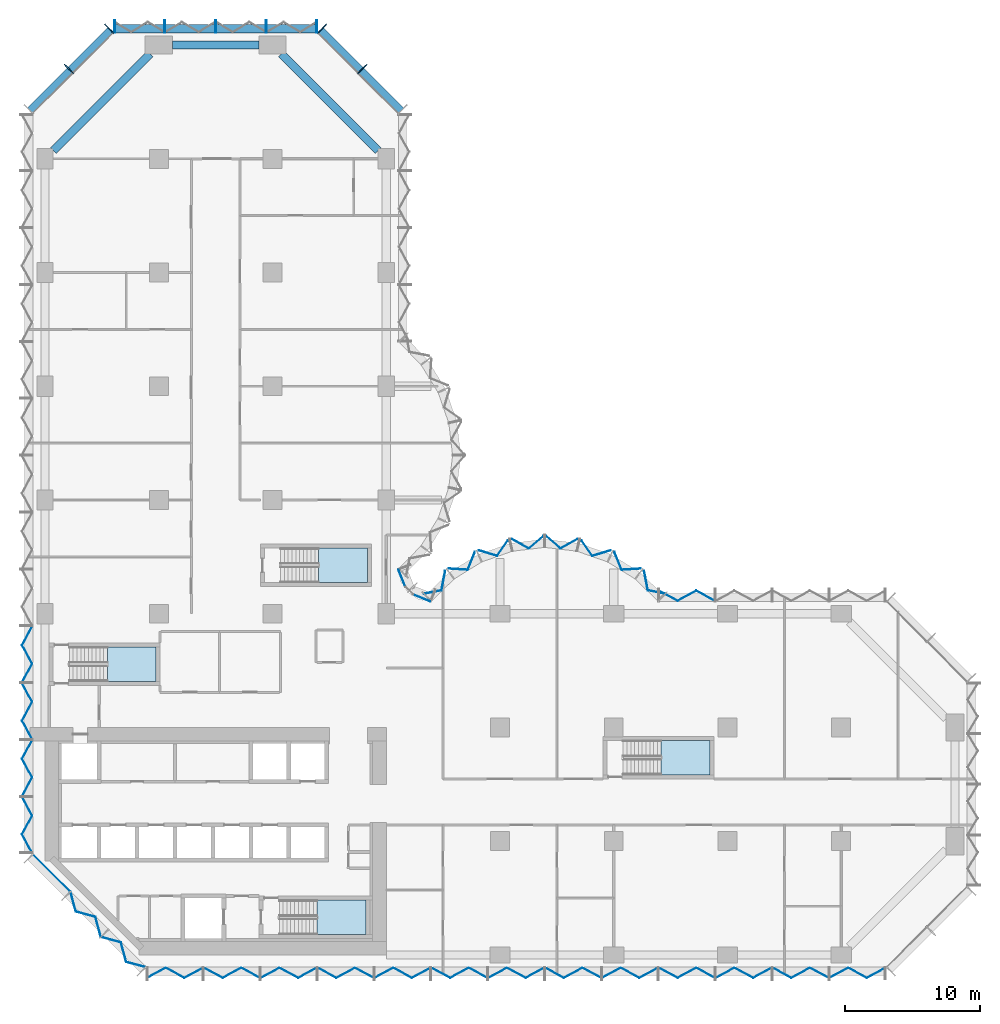
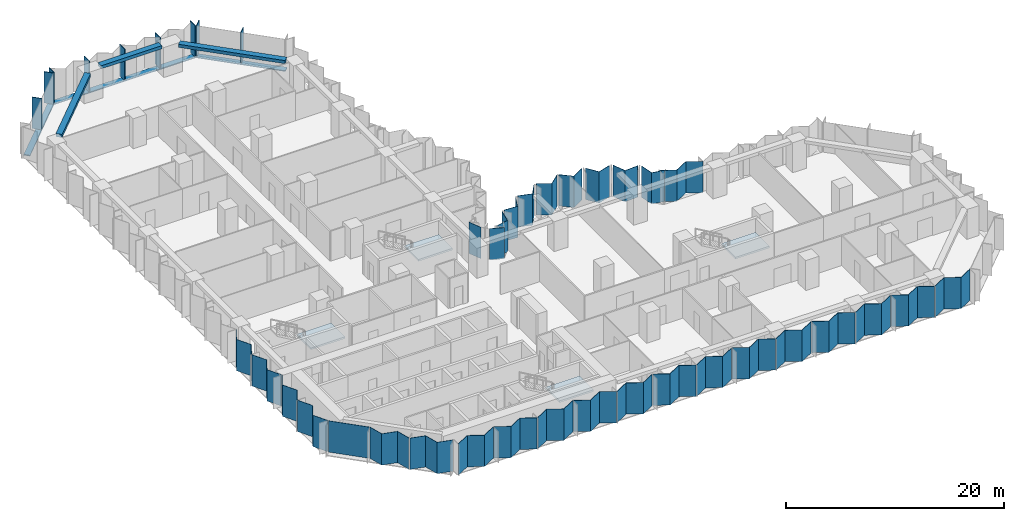
# One storey, part 5 of 15: 31 plates, 12 members, 4 slabs, 3 beams, 13 elements without a shape of their own.
"""IFC4 building model written with IfcOpenShell, lengths in metres."""

import ifcopenshell
import ifcopenshell.guid

model = None  # the IFC model being written
_history = None  # IfcOwnerHistory: only IFC2X3 demands one
_inside = {}  # id of a spatial element -> (the spatial element, [elements in it])
_under = {}  # id of a project, library or spatial element -> (it, [spatial elements below it])
_declared = {}  # id of a project -> (the project, [libraries it declares])
_typed = {}  # id of a type object -> (the type object, [elements of that type])
_made_of = {}  # id of a material, layer set ... -> (it, [elements and type objects made of it])


def new_model(schema):
    """Start an empty IFC model of exactly this schema.

    Asked for "IFC4X3", IfcOpenShell would pick the latest addendum, in which some entities
    have other attributes; the version numbers below select the first issue.
    IFC2X3 requires an IfcOwnerHistory on every rooted entity: one is made here for all.
    """
    global model, _history
    if schema == "IFC4X3":
        model = ifcopenshell.file(schema_version=(4, 3, 0, 0))
    else:
        model = ifcopenshell.file(schema=schema)
    _inside.clear()
    _under.clear()
    _declared.clear()
    _typed.clear()
    _made_of.clear()
    _history = None
    if model.schema == "IFC2X3":
        org = make("IfcOrganization", Name="unknown")
        user = make(
            "IfcPersonAndOrganization",
            ThePerson=make("IfcPerson", FamilyName="unknown"),
            TheOrganization=org,
        )
        app = make(
            "IfcApplication",
            ApplicationDeveloper=org,
            Version="unknown",
            ApplicationFullName="unknown",
            ApplicationIdentifier="unknown",
        )
        _history = make(
            "IfcOwnerHistory",
            OwningUser=user,
            OwningApplication=app,
            ChangeAction="ADDED",
            CreationDate=0,
        )
    return model


def make(cls, **values):
    """One entity of the class cls with the attributes given. An attribute that is None is left unset."""
    return model.create_entity(
        cls, **{name: value for name, value in values.items() if value is not None}
    )


def rooted(cls, **values):
    """An entity with a GlobalId (a new one), such as an element, a storey or a relation."""
    return make(cls, GlobalId=ifcopenshell.guid.new(), OwnerHistory=_history, **values)


def si_unit(unit_type, name, prefix=None):
    """IfcSIUnit, for example si_unit("LENGTHUNIT", "METRE", prefix="MILLI")."""
    return make("IfcSIUnit", UnitType=unit_type, Prefix=prefix, Name=name)


def assignment(units):
    """IfcUnitAssignment: the units of a project."""
    return None if units is None else make("IfcUnitAssignment", Units=units)


def point(xyz):
    """IfcCartesianPoint."""
    return None if xyz is None else make("IfcCartesianPoint", Coordinates=xyz)


def direction(xyz):
    """IfcDirection."""
    return None if xyz is None else make("IfcDirection", DirectionRatios=xyz)


def frame(location, z_axis=None, x_axis=None):
    """IfcAxis2Placement3D, a coordinate frame: its origin and axes. An axis left out is left unset."""
    return make(
        "IfcAxis2Placement3D",
        Location=point(location),
        Axis=direction(z_axis),
        RefDirection=direction(x_axis),
    )


def frame_2d(location, x_axis=None):
    """IfcAxis2Placement2D, a coordinate frame in the plane: its origin and x axis."""
    return make(
        "IfcAxis2Placement2D", Location=point(location), RefDirection=direction(x_axis)
    )


def origin():
    """The frame at (0, 0, 0) with its axes left unset."""
    return frame((0.0, 0.0, 0.0))


def origin_2d():
    """The frame at (0, 0) in the plane with its x axis left unset."""
    return frame_2d((0.0, 0.0))


def place(relative_to, where):
    """IfcLocalPlacement: puts the frame where relative to a parent placement (None: the world)."""
    return make(
        "IfcLocalPlacement", PlacementRelTo=relative_to, RelativePlacement=where
    )


def context(
    kind, dimensions, precision=None, world=None, true_north=None, identifier=None
):
    """IfcGeometricRepresentationContext, for example the 3D "Model" context."""
    return make(
        "IfcGeometricRepresentationContext",
        ContextIdentifier=identifier,
        ContextType=kind,
        CoordinateSpaceDimension=dimensions,
        Precision=precision,
        WorldCoordinateSystem=world,
        TrueNorth=true_north,
    )


def subcontext(parent, identifier, kind, view, scale=None):
    """IfcGeometricRepresentationSubContext, for example "Body" below "Model"."""
    return make(
        "IfcGeometricRepresentationSubContext",
        ContextIdentifier=identifier,
        ContextType=kind,
        ParentContext=parent,
        TargetScale=scale,
        TargetView=view,
    )


def project(units=None, contexts=None):
    """IfcProject with its units and contexts."""
    return rooted(
        "IfcProject",
        Name="project",
        RepresentationContexts=contexts,
        UnitsInContext=assignment(units),
    )


def spatial(cls, under=None, at=None, **own):
    """A site, building, storey or space (cls), placed at a placement, below another one or the project."""
    s = rooted(cls, ObjectPlacement=at, **own)
    if under is not None:
        _under.setdefault(under.id(), (under, []))[1].append(s)
    return s


def polyline(points):
    """IfcPolyline through the points."""
    return make("IfcPolyline", Points=[point(p) for p in points])


def profile(cls, at=None, kind="AREA", **sizes):
    """A parametric profile (cls). Its sizes go by their IFC names, for example OverallWidth=200.0."""
    return make(cls, ProfileType=kind, Position=at, **sizes)


def rectangle(**sizes):
    """IfcRectangleProfileDef."""
    return profile("IfcRectangleProfileDef", **sizes)


def outline(outer, holes=None, kind="AREA"):
    """IfcArbitraryClosedProfileDef: a profile drawn as a closed curve; with holes, ...WithVoids."""
    if holes is None:
        return make("IfcArbitraryClosedProfileDef", ProfileType=kind, OuterCurve=outer)
    return make(
        "IfcArbitraryProfileDefWithVoids",
        ProfileType=kind,
        OuterCurve=outer,
        InnerCurves=holes,
    )


def extrude(swept, where, along, depth):
    """IfcExtrudedAreaSolid: the profile swept, set in the frame where, extruded along a direction by depth."""
    return make(
        "IfcExtrudedAreaSolid",
        SweptArea=swept,
        Position=where,
        ExtrudedDirection=direction(along),
        Depth=depth,
    )


def shape(context_of_items, identifier, shape_type, items):
    """IfcShapeRepresentation: the items that make up one representation, for example the "Body"."""
    return make(
        "IfcShapeRepresentation",
        ContextOfItems=context_of_items,
        RepresentationIdentifier=identifier,
        RepresentationType=shape_type,
        Items=items,
    )


def material(Name=None, Category=None):
    """IfcMaterial."""
    return make("IfcMaterial", Name=Name, Category=Category)


def layer(
    of_material, thickness, ventilated=None, Name=None, Category=None, Priority=None
):
    """IfcMaterialLayer: one layer of a wall or slab, of a material (None: an air gap)."""
    return make(
        "IfcMaterialLayer",
        Material=of_material,
        LayerThickness=thickness,
        IsVentilated=ventilated,
        Name=Name,
        Category=Category,
        Priority=Priority,
    )


def layer_set(layers, Name=None):
    """IfcMaterialLayerSet."""
    return make("IfcMaterialLayerSet", MaterialLayers=layers, LayerSetName=Name)


def material_profile(
    of_material, cross_section, Name=None, Category=None, Priority=None
):
    """IfcMaterialProfile: a cross section and its material."""
    return make(
        "IfcMaterialProfile",
        Name=Name,
        Material=of_material,
        Profile=cross_section,
        Priority=Priority,
        Category=Category,
    )


def profile_set(profiles, Name=None, composite=None):
    """IfcMaterialProfileSet."""
    return make(
        "IfcMaterialProfileSet",
        Name=Name,
        MaterialProfiles=profiles,
        CompositeProfile=composite,
    )


def made_of(thing, what):
    """Note that an element or type object is made of a material, layer set ...; save() writes the relation."""
    if what is not None:
        _made_of.setdefault(what.id(), (what, []))[1].append(thing)
    return thing


def type_object(cls, material=None, **own):
    """A type object (cls), such as IfcWallType, which elements share."""
    return made_of(rooted(cls, **own), material)


def element(
    cls,
    number,
    at=None,
    inside=None,
    cuts=None,
    type_object=None,
    material=None,
    context=None,
    identifier="Body",
    shape_type=None,
    held_by="IfcProductDefinitionShape",
    body=None,
    shapes=None,
    **own,
):
    """One element of the class cls, such as IfcWall. Its Tag is "e" and its number.

    at: its placement. inside: the storey or other place that contains it. cuts: it is an
    opening in that element (IfcRelVoidsElement). A single representation is given by context,
    identifier, shape_type and body (its items); several are given by shapes. held_by: the class
    of the entity that holds the representations. save() writes the other relations.
    """
    e = rooted(cls, Tag="e%d" % number, ObjectPlacement=at, **own)
    if body is not None:
        shapes = [shape(context, identifier, shape_type, body)]
    if shapes is not None:
        e.Representation = make(held_by, Representations=shapes)
    if inside is not None:
        _inside.setdefault(inside.id(), (inside, []))[1].append(e)
    if cuts is not None:
        rooted(
            "IfcRelVoidsElement", RelatingBuildingElement=cuts, RelatedOpeningElement=e
        )
    if type_object is not None:
        _typed.setdefault(type_object.id(), (type_object, []))[1].append(e)
    return made_of(e, material)


def aggregate(whole, parts):
    """IfcRelAggregates: a whole, such as a stair, and the parts it consists of."""
    return rooted("IfcRelAggregates", RelatingObject=whole, RelatedObjects=parts)


def save(model, path):
    """Write the relations noted so far, then the file.

    IfcRelAggregates (storeys below a building ...), IfcRelContainedInSpatialStructure (elements
    in a storey), IfcRelDefinesByType, IfcRelAssociatesMaterial and IfcRelDeclares: one each for
    every whole, place, type object, material and project.
    """
    for whole, parts in _under.values():
        aggregate(whole, parts)
    for where, things in _inside.values():
        rooted(
            "IfcRelContainedInSpatialStructure",
            RelatedElements=things,
            RelatingStructure=where,
        )
    for kind, things in _typed.values():
        rooted("IfcRelDefinesByType", RelatedObjects=things, RelatingType=kind)
    for what, things in _made_of.values():
        rooted("IfcRelAssociatesMaterial", RelatedObjects=things, RelatingMaterial=what)
    for by, libraries in _declared.values():
        rooted("IfcRelDeclares", RelatingContext=by, RelatedDefinitions=libraries)
    model.write(path)


model = new_model("IFC4")

# Units and contexts
model_context = context("Model", 3, precision=1e-05, world=origin(), true_north=direction((0.0, 1.0)))
body_context = subcontext(model_context, "Body", "Model", "MODEL_VIEW")
ifc_project = project(units=[si_unit("LENGTHUNIT", "METRE"), si_unit("AREAUNIT", "SQUARE_METRE"), si_unit("VOLUMEUNIT", "CUBIC_METRE"), si_unit("PLANEANGLEUNIT", "RADIAN"), si_unit("MASSUNIT", "GRAM", prefix="KILO")], contexts=[model_context])

# Site, building, storey
site_placement = place(None, origin())
site = spatial("IfcSite", under=ifc_project, at=site_placement, CompositionType="ELEMENT")
building_placement = place(site_placement, origin())
building = spatial("IfcBuilding", under=site, at=building_placement, Name="Brevane Broadcast Tower", CompositionType="ELEMENT")
storey_placement = place(building_placement, frame((0.0, 0.0, 50.89990234375)))
storey = spatial("IfcBuildingStorey", under=building, at=storey_placement, Name="L10", CompositionType="ELEMENT", Elevation=50.89990234375)

# Curtain wall, members
ifc_material_1 = material(Name="Aluminium 6063-T6 bronze anodised", Category="aluminium")
curtain_wall_type = type_object("IfcCurtainWallType", Name="CW-1 curtain wall", PredefinedType="NOTDEFINED", material=ifc_material_1)
curtain_wall_1_placement = place(storey_placement, origin())
curtain_wall_1 = element("IfcCurtainWall", 1, at=curtain_wall_1_placement, inside=storey, type_object=curtain_wall_type, Name="CW-1 typical tilted unit L10 north arm north-east chamfer", PredefinedType="NOTDEFINED")
ifc_material_profile_1 = material_profile(ifc_material_1, rectangle(XDim=0.949951171875, YDim=0.070068359375, at=origin_2d()), Name="RECT 70x950")
ifc_profile_set_1 = profile_set([ifc_material_profile_1], Name="Aluminium 6063-T6 bronze anodised")
member_type_1 = type_object("IfcMemberType", Name="CW-1 mullion 70x950", PredefinedType="MULLION", material=ifc_profile_set_1)
member_1_placement = place(storey_placement, frame((23.435791015625, 65.435791015625, -0.14990234375), z_axis=(0.0, 0.0, 1.0), x_axis=(-0.707106781187, -0.707106781187, 0.0)))
member_1 = element("IfcMember", 2, at=member_1_placement, type_object=member_type_1, Name="CW-1 mullion", PredefinedType="MULLION", context=body_context, shape_type="SweptSolid", body=[
    extrude(rectangle(XDim=0.949951171875, YDim=0.070068359375, at=origin_2d()), origin(), (0.0, 0.0, 1.0), 3.5),
])
member_2_placement = place(storey_placement, frame((20.460693359375, 68.4111328125, -0.14990234375), z_axis=(0.0, 0.0, 1.0), x_axis=(-0.707106781187, -0.707106781187, 0.0)))
member_2 = element("IfcMember", 3, at=member_2_placement, type_object=member_type_1, Name="CW-1 mullion", PredefinedType="MULLION", context=body_context, shape_type="SweptSolid", body=[
    extrude(rectangle(XDim=0.949951171875, YDim=0.070068359375, at=origin_2d()), origin(), (0.0, 0.0, 1.0), 3.5),
])

curtain_wall_2_placement = place(storey_placement, origin())
curtain_wall_2 = element("IfcCurtainWall", 4, at=curtain_wall_2_placement, inside=storey, type_object=curtain_wall_type, Name="CW-1 typical tilted unit L10 north end", PredefinedType="NOTDEFINED")
member_3_placement = place(storey_placement, frame((20.06494140625, 68.574951171875, -0.14990234375), z_axis=(0.0, 0.0, 1.0), x_axis=(0.0, -1.0, 0.0)))
member_3 = element("IfcMember", 5, at=member_3_placement, type_object=member_type_1, Name="CW-1 mullion", PredefinedType="MULLION", context=body_context, shape_type="SweptSolid", body=[
    extrude(rectangle(XDim=0.949951171875, YDim=0.070068359375, at=origin_2d()), origin(), (0.0, 0.0, 1.0), 3.5),
])
member_4_placement = place(storey_placement, frame((16.35009765625, 68.574951171875, -0.14990234375), z_axis=(0.0, 0.0, 1.0), x_axis=(0.0, -1.0, 0.0)))
member_4 = element("IfcMember", 6, at=member_4_placement, type_object=member_type_1, Name="CW-1 mullion", PredefinedType="MULLION", context=body_context, shape_type="SweptSolid", body=[
    extrude(rectangle(XDim=0.949951171875, YDim=0.070068359375, at=origin_2d()), origin(), (0.0, 0.0, 1.0), 3.5),
])
member_5_placement = place(storey_placement, frame((12.60009765625, 68.574951171875, -0.14990234375), z_axis=(0.0, 0.0, 1.0), x_axis=(0.0, -1.0, 0.0)))
member_5 = element("IfcMember", 7, at=member_5_placement, type_object=member_type_1, Name="CW-1 mullion", PredefinedType="MULLION", context=body_context, shape_type="SweptSolid", body=[
    extrude(rectangle(XDim=0.949951171875, YDim=0.070068359375, at=origin_2d()), origin(), (0.0, 0.0, 1.0), 3.5),
])
member_6_placement = place(storey_placement, frame((8.85009765625, 68.574951171875, -0.14990234375), z_axis=(0.0, 0.0, 1.0), x_axis=(0.0, -1.0, 0.0)))
member_6 = element("IfcMember", 8, at=member_6_placement, type_object=member_type_1, Name="CW-1 mullion", PredefinedType="MULLION", context=body_context, shape_type="SweptSolid", body=[
    extrude(rectangle(XDim=0.949951171875, YDim=0.070068359375, at=origin_2d()), origin(), (0.0, 0.0, 1.0), 3.5),
])
member_7_placement = place(storey_placement, frame((5.135009765625, 68.574951171875, -0.14990234375), z_axis=(0.0, 0.0, 1.0), x_axis=(0.0, -1.0, 0.0)))
member_7 = element("IfcMember", 9, at=member_7_placement, type_object=member_type_1, Name="CW-1 mullion", PredefinedType="MULLION", context=body_context, shape_type="SweptSolid", body=[
    extrude(rectangle(XDim=0.949951171875, YDim=0.070068359375, at=origin_2d()), origin(), (0.0, 0.0, 1.0), 3.5),
])

curtain_wall_3_placement = place(storey_placement, origin())
curtain_wall_3 = element("IfcCurtainWall", 10, at=curtain_wall_3_placement, inside=storey, type_object=curtain_wall_type, Name="CW-1 typical tilted unit L10 north-west chamfer", PredefinedType="NOTDEFINED")
member_8_placement = place(storey_placement, frame((4.7392578125, 68.4111328125, -0.14990234375), z_axis=(0.0, 0.0, 1.0), x_axis=(0.707106781187, -0.707106781187, 0.0)))
member_8 = element("IfcMember", 11, at=member_8_placement, type_object=member_type_1, Name="CW-1 mullion", PredefinedType="MULLION", context=body_context, shape_type="SweptSolid", body=[
    extrude(rectangle(XDim=0.949951171875, YDim=0.070068359375, at=origin_2d()), origin(), (0.0, 0.0, 1.0), 3.5),
])
member_9_placement = place(storey_placement, frame((1.76416015625, 65.435791015625, -0.14990234375), z_axis=(0.0, 0.0, 1.0), x_axis=(0.707106781187, -0.707106781187, 0.0)))
member_9 = element("IfcMember", 12, at=member_9_placement, type_object=member_type_1, Name="CW-1 mullion", PredefinedType="MULLION", context=body_context, shape_type="SweptSolid", body=[
    extrude(rectangle(XDim=0.949951171875, YDim=0.070068359375, at=origin_2d()), origin(), (0.0, 0.0, 1.0), 3.5),
])

# Member
ifc_material_profile_2 = material_profile(ifc_material_1, rectangle(XDim=0.60009765625, YDim=0.10009765625, at=origin_2d()), Name="RECT 100x600")
ifc_profile_set_2 = profile_set([ifc_material_profile_2], Name="Aluminium 6063-T6 bronze anodised")
member_type_2 = type_object("IfcMemberType", Name="CW-1 transom 100x600", PredefinedType="USERDEFINED", material=ifc_profile_set_2)
member_10_placement = place(storey_placement, frame((26.31201171875, 62.31201171875, -0.199951171875), z_axis=(-0.707106781187, 0.707106781187, 0.0), x_axis=(-0.707106781187, -0.707106781187, 0.0)))
member_10 = element("IfcMember", 13, at=member_10_placement, type_object=member_type_2, Name="CW-1 transom", ObjectType="TRANSOM", PredefinedType="USERDEFINED", context=body_context, shape_type="SweptSolid", body=[
    extrude(rectangle(XDim=0.60009765625, YDim=0.10009765625, at=origin_2d()), origin(), (0.0, 0.0, 1.0), 8.4853515625),
])

aggregate(curtain_wall_1, [member_1, member_2, member_10])

member_11_placement = place(storey_placement, frame((20.10009765625, 68.39990234375, -0.199951171875), z_axis=(-1.0, 0.0, 0.0), x_axis=(0.0, -1.0, 0.0)))
member_11 = element("IfcMember", 14, at=member_11_placement, type_object=member_type_2, Name="CW-1 transom", ObjectType="TRANSOM", PredefinedType="USERDEFINED", context=body_context, shape_type="SweptSolid", body=[
    extrude(rectangle(XDim=0.60009765625, YDim=0.10009765625, at=origin_2d()), origin(), (0.0, 0.0, 1.0), 15.0),
])

aggregate(curtain_wall_2, [member_3, member_4, member_5, member_6, member_7, member_11])

member_12_placement = place(storey_placement, frame((4.887939453125, 68.31201171875, -0.199951171875), z_axis=(-0.707106781187, -0.707106781187, 0.0), x_axis=(0.707106781187, -0.707106781187, 0.0)))
member_12 = element("IfcMember", 15, at=member_12_placement, type_object=member_type_2, Name="CW-1 transom", ObjectType="TRANSOM", PredefinedType="USERDEFINED", context=body_context, shape_type="SweptSolid", body=[
    extrude(rectangle(XDim=0.60009765625, YDim=0.10009765625, at=origin_2d()), origin(), (0.0, 0.0, 1.0), 8.4853515625),
])

aggregate(curtain_wall_3, [member_8, member_9, member_12])

# Beams
ifc_material_2 = material(Name="Concrete C40/50", Category="concrete")
ifc_material_profile_3 = material_profile(ifc_material_2, rectangle(XDim=0.60009765625, YDim=0.35009765625, at=origin_2d()), Name="RC 600x350")
ifc_profile_set_3 = profile_set([ifc_material_profile_3], Name="Concrete C40/50")
beam_type = type_object("IfcBeamType", Name="RC SPANDREL BEAM 600x350 C40/50", PredefinedType="SPANDREL", material=ifc_profile_set_3)
beam_1_placement = place(storey_placement, frame((24.60009765625, 59.39990234375, 3.175048828125), z_axis=(-0.707106781187, 0.707106781187, 0.0), x_axis=(-0.707106781187, -0.707106781187, 0.0)))
element("IfcBeam", 16, at=beam_1_placement, inside=storey, type_object=beam_type, Name="EB1 L10-16", PredefinedType="SPANDREL", context=body_context, shape_type="SweptSolid", body=[
    extrude(rectangle(XDim=0.60009765625, YDim=0.35009765625, at=origin_2d()), origin(), (0.0, 0.0, 1.0), 10.11181640625),
])
beam_2_placement = place(storey_placement, frame((15.800048828125, 67.199951171875, 3.175048828125), z_axis=(-1.0, 0.0, 0.0), x_axis=(0.0, -1.0, 0.0)))
element("IfcBeam", 17, at=beam_2_placement, inside=storey, type_object=beam_type, Name="EB1 L10-17", PredefinedType="SPANDREL", context=body_context, shape_type="SweptSolid", body=[
    extrude(rectangle(XDim=0.60009765625, YDim=0.35009765625, at=origin_2d()), origin(), (0.0, 0.0, 1.0), 6.400146484375),
])
beam_3_placement = place(storey_placement, frame((7.75, 66.550048828125, 3.175048828125), z_axis=(-0.707094708853, -0.707118853314, 0.0), x_axis=(0.707118853314, -0.707094708853, 0.0)))
element("IfcBeam", 18, at=beam_3_placement, inside=storey, type_object=beam_type, Name="EB1 L10-18", PredefinedType="SPANDREL", context=body_context, shape_type="SweptSolid", body=[
    extrude(rectangle(XDim=0.60009765625, YDim=0.35009765625, at=origin_2d()), origin(), (0.0, 0.0, 1.0), 10.111572265625),
])

# Curtain wall, plates
curtain_wall_4_placement = place(storey_placement, origin())
curtain_wall_4 = element("IfcCurtainWall", 19, at=curtain_wall_4_placement, inside=storey, type_object=curtain_wall_type, Name="CW-1 typical tilted unit L10 south face", PredefinedType="NOTDEFINED")
ifc_material_3 = material(Name="Laminated glass bronze-tinted", Category="glass")
ifc_layer_1 = layer(ifc_material_3, 0.0400390625)
ifc_layer_set_1 = layer_set([ifc_layer_1], Name="CW tall glass panel 40")
plate_type = type_object("IfcPlateType", Name="CW tall glass panel 40", PredefinedType="CURTAIN_PANEL", material=ifc_layer_set_1)
plate_1_placement = place(storey_placement, frame((0.0, 0.0, -0.14990234375)))
plate_1 = element("IfcPlate", 20, at=plate_1_placement, type_object=plate_type, Name="CW-1 glass panel", PredefinedType="CURTAIN_PANEL", context=body_context, shape_type="SweptSolid", body=[
    extrude(outline(polyline([(7.534912109375, -1.671630859375), (7.534912109375, -1.717041015625), (8.91162109375, -0.97265625), (10.288330078125, -1.717041015625), (11.6650390625, -0.97265625), (11.6650390625, -0.92724609375), (10.288330078125, -1.671630859375), (8.91162109375, -0.92724609375), (7.534912109375, -1.671630859375)])), origin(), (0.0, 0.0, 1.0), 3.5),
])
plate_2_placement = place(storey_placement, frame((0.0, 0.0, -0.14990234375)))
plate_2 = element("IfcPlate", 21, at=plate_2_placement, type_object=plate_type, Name="CW-1 glass panel", PredefinedType="CURTAIN_PANEL", context=body_context, shape_type="SweptSolid", body=[
    extrude(outline(polyline([(11.735107421875, -0.92724609375), (11.735107421875, -0.97265625), (13.11181640625, -1.717041015625), (14.48828125, -0.97265625), (15.864990234375, -1.717041015625), (15.864990234375, -1.671630859375), (14.48828125, -0.92724609375), (13.11181640625, -1.671630859375), (11.735107421875, -0.92724609375)])), origin(), (0.0, 0.0, 1.0), 3.5),
])
plate_3_placement = place(storey_placement, frame((0.0, 0.0, -0.14990234375)))
plate_3 = element("IfcPlate", 22, at=plate_3_placement, type_object=plate_type, Name="CW-1 glass panel", PredefinedType="CURTAIN_PANEL", context=body_context, shape_type="SweptSolid", body=[
    extrude(outline(polyline([(15.93505859375, -1.671630859375), (15.93505859375, -1.717041015625), (17.311767578125, -0.97265625), (18.688232421875, -1.717041015625), (20.06494140625, -0.97265625), (20.06494140625, -0.92724609375), (18.688232421875, -1.671630859375), (17.311767578125, -0.92724609375), (15.93505859375, -1.671630859375)])), origin(), (0.0, 0.0, 1.0), 3.5),
])
plate_4_placement = place(storey_placement, frame((0.0, 0.0, -0.14990234375)))
plate_4 = element("IfcPlate", 23, at=plate_4_placement, type_object=plate_type, Name="CW-1 glass panel", PredefinedType="CURTAIN_PANEL", context=body_context, shape_type="SweptSolid", body=[
    extrude(outline(polyline([(20.135009765625, -0.92724609375), (20.135009765625, -0.97265625), (21.51171875, -1.717041015625), (22.88818359375, -0.97265625), (24.264892578125, -1.717041015625), (24.264892578125, -1.671630859375), (22.88818359375, -0.92724609375), (21.51171875, -1.671630859375), (20.135009765625, -0.92724609375)])), origin(), (0.0, 0.0, 1.0), 3.5),
])
plate_5_placement = place(storey_placement, frame((0.0, 0.0, -0.14990234375)))
plate_5 = element("IfcPlate", 24, at=plate_5_placement, type_object=plate_type, Name="CW-1 glass panel", PredefinedType="CURTAIN_PANEL", context=body_context, shape_type="SweptSolid", body=[
    extrude(outline(polyline([(24.3349609375, -1.671630859375), (24.3349609375, -1.717041015625), (25.711669921875, -0.97265625), (27.08837890625, -1.717041015625), (28.465087890625, -0.97265625), (28.465087890625, -0.92724609375), (27.08837890625, -1.671630859375), (25.711669921875, -0.92724609375), (24.3349609375, -1.671630859375)])), origin(), (0.0, 0.0, 1.0), 3.5),
])
plate_6_placement = place(storey_placement, frame((0.0, 0.0, -0.14990234375)))
plate_6 = element("IfcPlate", 25, at=plate_6_placement, type_object=plate_type, Name="CW-1 glass panel", PredefinedType="CURTAIN_PANEL", context=body_context, shape_type="SweptSolid", body=[
    extrude(outline(polyline([(28.534912109375, -0.92724609375), (28.534912109375, -0.97265625), (29.91162109375, -1.717041015625), (31.288330078125, -0.97265625), (32.6650390625, -1.717041015625), (32.6650390625, -1.671630859375), (31.288330078125, -0.92724609375), (29.91162109375, -1.671630859375), (28.534912109375, -0.92724609375)])), origin(), (0.0, 0.0, 1.0), 3.5),
])
plate_7_placement = place(storey_placement, frame((0.0, 0.0, -0.14990234375)))
plate_7 = element("IfcPlate", 26, at=plate_7_placement, type_object=plate_type, Name="CW-1 glass panel", PredefinedType="CURTAIN_PANEL", context=body_context, shape_type="SweptSolid", body=[
    extrude(outline(polyline([(32.735107421875, -1.671630859375), (32.735107421875, -1.717041015625), (34.11181640625, -0.97265625), (35.48828125, -1.717041015625), (36.864990234375, -0.97265625), (36.864990234375, -0.92724609375), (35.48828125, -1.671630859375), (34.11181640625, -0.92724609375), (32.735107421875, -1.671630859375)])), origin(), (0.0, 0.0, 1.0), 3.5),
])
plate_8_placement = place(storey_placement, frame((0.0, 0.0, -0.14990234375)))
plate_8 = element("IfcPlate", 27, at=plate_8_placement, type_object=plate_type, Name="CW-1 glass panel", PredefinedType="CURTAIN_PANEL", context=body_context, shape_type="SweptSolid", body=[
    extrude(outline(polyline([(36.93505859375, -0.92724609375), (36.93505859375, -0.97265625), (38.311767578125, -1.717041015625), (39.688232421875, -0.97265625), (41.06494140625, -1.717041015625), (41.06494140625, -1.671630859375), (39.688232421875, -0.92724609375), (38.311767578125, -1.671630859375), (36.93505859375, -0.92724609375)])), origin(), (0.0, 0.0, 1.0), 3.5),
])
plate_9_placement = place(storey_placement, frame((0.0, 0.0, -0.14990234375)))
plate_9 = element("IfcPlate", 28, at=plate_9_placement, type_object=plate_type, Name="CW-1 glass panel", PredefinedType="CURTAIN_PANEL", context=body_context, shape_type="SweptSolid", body=[
    extrude(outline(polyline([(41.135009765625, -1.671630859375), (41.135009765625, -1.717041015625), (42.51171875, -0.97265625), (43.88818359375, -1.717041015625), (45.264892578125, -0.97265625), (45.264892578125, -0.92724609375), (43.88818359375, -1.671630859375), (42.51171875, -0.92724609375), (41.135009765625, -1.671630859375)])), origin(), (0.0, 0.0, 1.0), 3.5),
])
plate_10_placement = place(storey_placement, frame((0.0, 0.0, -0.14990234375)))
plate_10 = element("IfcPlate", 29, at=plate_10_placement, type_object=plate_type, Name="CW-1 glass panel", PredefinedType="CURTAIN_PANEL", context=body_context, shape_type="SweptSolid", body=[
    extrude(outline(polyline([(45.3349609375, -0.92724609375), (45.3349609375, -0.97265625), (46.711669921875, -1.717041015625), (48.08837890625, -0.97265625), (49.465087890625, -1.717041015625), (49.465087890625, -1.671630859375), (48.08837890625, -0.92724609375), (46.711669921875, -1.671630859375), (45.3349609375, -0.92724609375)])), origin(), (0.0, 0.0, 1.0), 3.5),
])
plate_11_placement = place(storey_placement, frame((0.0, 0.0, -0.14990234375)))
plate_11 = element("IfcPlate", 30, at=plate_11_placement, type_object=plate_type, Name="CW-1 glass panel", PredefinedType="CURTAIN_PANEL", context=body_context, shape_type="SweptSolid", body=[
    extrude(outline(polyline([(49.534912109375, -1.671630859375), (49.534912109375, -1.717041015625), (50.91162109375, -0.97265625), (52.288330078125, -1.717041015625), (53.6650390625, -0.97265625), (53.6650390625, -0.92724609375), (52.288330078125, -1.671630859375), (50.91162109375, -0.92724609375), (49.534912109375, -1.671630859375)])), origin(), (0.0, 0.0, 1.0), 3.5),
])
plate_12_placement = place(storey_placement, frame((0.0, 0.0, -0.14990234375)))
plate_12 = element("IfcPlate", 31, at=plate_12_placement, type_object=plate_type, Name="CW-1 glass panel", PredefinedType="CURTAIN_PANEL", context=body_context, shape_type="SweptSolid", body=[
    extrude(outline(polyline([(53.735107421875, -0.92724609375), (53.735107421875, -0.97265625), (55.11181640625, -1.717041015625), (56.48828125, -0.97265625), (57.864990234375, -1.717041015625), (57.864990234375, -1.671630859375), (56.48828125, -0.92724609375), (55.11181640625, -1.671630859375), (53.735107421875, -0.92724609375)])), origin(), (0.0, 0.0, 1.0), 3.5),
])
plate_13_placement = place(storey_placement, frame((0.0, 0.0, -0.14990234375)))
plate_13 = element("IfcPlate", 32, at=plate_13_placement, type_object=plate_type, Name="CW-1 glass panel", PredefinedType="CURTAIN_PANEL", context=body_context, shape_type="SweptSolid", body=[
    extrude(outline(polyline([(57.93505859375, -1.671630859375), (57.93505859375, -1.717041015625), (59.311767578125, -0.97265625), (60.688232421875, -1.717041015625), (62.06494140625, -0.97265625), (62.06494140625, -0.92724609375), (60.688232421875, -1.671630859375), (59.311767578125, -0.92724609375), (57.93505859375, -1.671630859375)])), origin(), (0.0, 0.0, 1.0), 3.5),
])
aggregate(curtain_wall_4, [plate_1, plate_2, plate_3, plate_4, plate_5, plate_6, plate_7, plate_8, plate_9, plate_10, plate_11, plate_12, plate_13])

# Curtain wall, plate
curtain_wall_5_placement = place(storey_placement, origin())
curtain_wall_5 = element("IfcCurtainWall", 33, at=curtain_wall_5_placement, inside=storey, type_object=curtain_wall_type, Name="CW-1 typical tilted unit L10 east arm north face", PredefinedType="NOTDEFINED")
plate_14_placement = place(storey_placement, frame((0.0, 0.0, -0.14990234375)))
plate_14 = element("IfcPlate", 34, at=plate_14_placement, type_object=plate_type, Name="CW-1 glass panel", PredefinedType="CURTAIN_PANEL", context=body_context, shape_type="SweptSolid", body=[
    extrude(outline(polyline([(49.465087890625, 26.127197265625), (49.465087890625, 26.172607421875), (48.08837890625, 26.9169921875), (46.711669921875, 26.172607421875), (45.3349609375, 26.9169921875), (45.3349609375, 26.87158203125), (46.711669921875, 26.127197265625), (48.08837890625, 26.87158203125), (49.465087890625, 26.127197265625)])), origin(), (0.0, 0.0, 1.0), 3.5),
])
aggregate(curtain_wall_5, [plate_14])

# Curtain wall, plates
curtain_wall_6_placement = place(storey_placement, origin())
curtain_wall_6 = element("IfcCurtainWall", 35, at=curtain_wall_6_placement, inside=storey, type_object=curtain_wall_type, Name="CW-1 typical tilted unit L10 east bow", PredefinedType="NOTDEFINED")
plate_15_placement = place(storey_placement, frame((0.0, 0.0, -0.14990234375)))
plate_15 = element("IfcPlate", 36, at=plate_15_placement, type_object=plate_type, Name="CW-1 glass panel", PredefinedType="CURTAIN_PANEL", context=body_context, shape_type="SweptSolid", body=[
    extrude(outline(polyline([(45.79150390625, 26.656005859375), (45.82470703125, 26.690185546875), (44.539306640625, 26.9423828125), (44.263916015625, 28.3857421875), (44.231201171875, 28.34375), (44.5048828125, 26.908203125), (45.79150390625, 26.656005859375)])), origin(), (0.0, 0.0, 1.0), 3.5),
])
plate_16_placement = place(storey_placement, frame((0.0, 0.0, -0.14990234375)))
plate_16 = element("IfcPlate", 37, at=plate_16_placement, type_object=plate_type, Name="CW-1 glass panel", PredefinedType="CURTAIN_PANEL", context=body_context, shape_type="SweptSolid", body=[
    extrude(outline(polyline([(43.950439453125, 28.5087890625), (43.9833984375, 28.551025390625), (42.601318359375, 28.462890625), (42.0703125, 29.76171875), (42.046875, 29.712890625), (42.5751953125, 28.42138671875), (43.950439453125, 28.5087890625)])), origin(), (0.0, 0.0, 1.0), 3.5),
])
plate_17_placement = place(storey_placement, frame((0.0, 0.0, -0.14990234375)))
plate_17 = element("IfcPlate", 38, at=plate_17_placement, type_object=plate_type, Name="CW-1 glass panel", PredefinedType="CURTAIN_PANEL", context=body_context, shape_type="SweptSolid", body=[
    extrude(outline(polyline([(41.75537109375, 29.851806640625), (41.778564453125, 29.900634765625), (40.435546875, 29.494384765625), (39.6328125, 30.622802734375), (39.62060546875, 30.57080078125), (40.41943359375, 29.44775390625), (41.75537109375, 29.851806640625)])), origin(), (0.0, 0.0, 1.0), 3.5),
])
plate_18_placement = place(storey_placement, frame((0.0, 0.0, -0.14990234375)))
plate_18 = element("IfcPlate", 39, at=plate_18_placement, type_object=plate_type, Name="CW-1 glass panel", PredefinedType="CURTAIN_PANEL", context=body_context, shape_type="SweptSolid", body=[
    extrude(outline(polyline([(39.31640625, 30.68798828125), (39.328369140625, 30.740478515625), (38.069580078125, 30.036376953125), (37.008056640625, 30.94921875), (37.008056640625, 30.896484375), (38.064697265625, 29.98779296875), (39.31640625, 30.68798828125)])), origin(), (0.0, 0.0, 1.0), 3.5),
])
plate_19_placement = place(storey_placement, frame((0.0, 0.0, -0.14990234375)))
plate_19 = element("IfcPlate", 40, at=plate_19_placement, type_object=plate_type, Name="CW-1 glass panel", PredefinedType="CURTAIN_PANEL", context=body_context, shape_type="SweptSolid", body=[
    extrude(outline(polyline([(36.7919921875, 30.896484375), (36.7919921875, 30.94921875), (35.730224609375, 30.036376953125), (34.4716796875, 30.740478515625), (34.483642578125, 30.68798828125), (35.735107421875, 29.98779296875), (36.7919921875, 30.896484375)])), origin(), (0.0, 0.0, 1.0), 3.5),
])
plate_20_placement = place(storey_placement, frame((0.0, 0.0, -0.14990234375)))
plate_20 = element("IfcPlate", 41, at=plate_20_placement, type_object=plate_type, Name="CW-1 glass panel", PredefinedType="CURTAIN_PANEL", context=body_context, shape_type="SweptSolid", body=[
    extrude(outline(polyline([(34.17919921875, 30.57080078125), (34.167236328125, 30.622802734375), (33.364501953125, 29.494384765625), (32.021484375, 29.900634765625), (32.044677734375, 29.851806640625), (33.380615234375, 29.44775390625), (34.17919921875, 30.57080078125)])), origin(), (0.0, 0.0, 1.0), 3.5),
])
plate_21_placement = place(storey_placement, frame((0.0, 0.0, -0.14990234375)))
plate_21 = element("IfcPlate", 42, at=plate_21_placement, type_object=plate_type, Name="CW-1 glass panel", PredefinedType="CURTAIN_PANEL", context=body_context, shape_type="SweptSolid", body=[
    extrude(outline(polyline([(31.753173828125, 29.712890625), (31.729736328125, 29.76171875), (31.198486328125, 28.462890625), (29.816650390625, 28.551025390625), (29.849609375, 28.5087890625), (31.224609375, 28.42138671875), (31.753173828125, 29.712890625)])), origin(), (0.0, 0.0, 1.0), 3.5),
])
plate_22_placement = place(storey_placement, frame((0.0, 0.0, -0.14990234375)))
plate_22 = element("IfcPlate", 43, at=plate_22_placement, type_object=plate_type, Name="CW-1 glass panel", PredefinedType="CURTAIN_PANEL", context=body_context, shape_type="SweptSolid", body=[
    extrude(outline(polyline([(29.568603515625, 28.34375), (29.535888671875, 28.3857421875), (29.2607421875, 26.9423828125), (27.975341796875, 26.690185546875), (28.008544921875, 26.656005859375), (29.294921875, 26.908203125), (29.568603515625, 28.34375)])), origin(), (0.0, 0.0, 1.0), 3.5),
])
aggregate(curtain_wall_6, [plate_15, plate_16, plate_17, plate_18, plate_19, plate_20, plate_21, plate_22])

curtain_wall_7_placement = place(storey_placement, origin())
curtain_wall_7 = element("IfcCurtainWall", 44, at=curtain_wall_7_placement, inside=storey, type_object=curtain_wall_type, Name="CW-1 typical tilted unit L10 inner corner", PredefinedType="NOTDEFINED")
plate_23_placement = place(storey_placement, frame((0.0, 0.0, -0.14990234375)))
plate_23 = element("IfcPlate", 45, at=plate_23_placement, type_object=plate_type, Name="CW-1 glass panel", PredefinedType="CURTAIN_PANEL", context=body_context, shape_type="SweptSolid", body=[
    extrude(outline(polyline([(28.45166015625, 26.07470703125), (28.466796875, 26.111572265625), (27.2021484375, 26.635498046875), (27.17138671875, 26.60498046875), (28.45166015625, 26.07470703125)])), origin(), (0.0, 0.0, 1.0), 3.5),
])
plate_24_placement = place(storey_placement, frame((0.0, 0.0, -0.14990234375)))
plate_24 = element("IfcPlate", 46, at=plate_24_placement, type_object=plate_type, Name="CW-1 glass panel", PredefinedType="CURTAIN_PANEL", context=body_context, shape_type="SweptSolid", body=[
    extrude(outline(polyline([(26.60498046875, 27.17138671875), (26.635498046875, 27.2021484375), (26.111572265625, 28.466796875), (26.07470703125, 28.45166015625), (26.60498046875, 27.17138671875)])), origin(), (0.0, 0.0, 1.0), 3.5),
])
aggregate(curtain_wall_7, [plate_23, plate_24])

curtain_wall_8_placement = place(storey_placement, origin())
curtain_wall_8 = element("IfcCurtainWall", 47, at=curtain_wall_8_placement, inside=storey, type_object=curtain_wall_type, Name="CW-1 typical tilted unit L10 west face", PredefinedType="NOTDEFINED")
plate_25_placement = place(storey_placement, frame((0.0, 0.0, -0.14990234375)))
plate_25 = element("IfcPlate", 48, at=plate_25_placement, type_object=plate_type, Name="CW-1 glass panel", PredefinedType="CURTAIN_PANEL", context=body_context, shape_type="SweptSolid", body=[
    extrude(outline(polyline([(-0.92724609375, 24.264892578125), (-0.97265625, 24.264892578125), (-1.717041015625, 22.88818359375), (-0.97265625, 21.51171875), (-1.717041015625, 20.135009765625), (-1.671630859375, 20.135009765625), (-0.92724609375, 21.51171875), (-1.671630859375, 22.88818359375), (-0.92724609375, 24.264892578125)])), origin(), (0.0, 0.0, 1.0), 3.5),
])
plate_26_placement = place(storey_placement, frame((0.0, 0.0, -0.14990234375)))
plate_26 = element("IfcPlate", 49, at=plate_26_placement, type_object=plate_type, Name="CW-1 glass panel", PredefinedType="CURTAIN_PANEL", context=body_context, shape_type="SweptSolid", body=[
    extrude(outline(polyline([(-1.671630859375, 20.06494140625), (-1.717041015625, 20.06494140625), (-0.97265625, 18.688232421875), (-1.717041015625, 17.311767578125), (-0.97265625, 15.93505859375), (-0.92724609375, 15.93505859375), (-1.671630859375, 17.311767578125), (-0.92724609375, 18.688232421875), (-1.671630859375, 20.06494140625)])), origin(), (0.0, 0.0, 1.0), 3.5),
])
plate_27_placement = place(storey_placement, frame((0.0, 0.0, -0.14990234375)))
plate_27 = element("IfcPlate", 50, at=plate_27_placement, type_object=plate_type, Name="CW-1 glass panel", PredefinedType="CURTAIN_PANEL", context=body_context, shape_type="SweptSolid", body=[
    extrude(outline(polyline([(-0.92724609375, 15.864990234375), (-0.97265625, 15.864990234375), (-1.717041015625, 14.48828125), (-0.97265625, 13.11181640625), (-1.717041015625, 11.735107421875), (-1.671630859375, 11.735107421875), (-0.92724609375, 13.11181640625), (-1.671630859375, 14.48828125), (-0.92724609375, 15.864990234375)])), origin(), (0.0, 0.0, 1.0), 3.5),
])
plate_28_placement = place(storey_placement, frame((0.0, 0.0, -0.14990234375)))
plate_28 = element("IfcPlate", 51, at=plate_28_placement, type_object=plate_type, Name="CW-1 glass panel", PredefinedType="CURTAIN_PANEL", context=body_context, shape_type="SweptSolid", body=[
    extrude(outline(polyline([(-1.671630859375, 11.6650390625), (-1.717041015625, 11.6650390625), (-0.97265625, 10.288330078125), (-1.717041015625, 8.91162109375), (-0.97265625, 7.534912109375), (-0.92724609375, 7.534912109375), (-1.671630859375, 8.91162109375), (-0.92724609375, 10.288330078125), (-1.671630859375, 11.6650390625)])), origin(), (0.0, 0.0, 1.0), 3.5),
])
aggregate(curtain_wall_8, [plate_25, plate_26, plate_27, plate_28])

curtain_wall_9_placement = place(storey_placement, origin())
curtain_wall_9 = element("IfcCurtainWall", 52, at=curtain_wall_9_placement, inside=storey, type_object=curtain_wall_type, Name="CW-1 typical tilted unit L10 south-west chamfer", PredefinedType="NOTDEFINED")
plate_29_placement = place(storey_placement, frame((0.0, 0.0, -0.14990234375)))
plate_29 = element("IfcPlate", 53, at=plate_29_placement, type_object=plate_type, Name="CW-1 glass panel", PredefinedType="CURTAIN_PANEL", context=body_context, shape_type="SweptSolid", body=[
    extrude(outline(polyline([(-0.896484375, 7.4541015625), (1.85400390625, 4.70361328125), (1.82568359375, 4.67529296875), (-0.9248046875, 7.42578125), (-0.896484375, 7.4541015625)])), origin(), (0.0, 0.0, 1.0), 3.5),
])
plate_30_placement = place(storey_placement, frame((0.0, 0.0, -0.14990234375)))
plate_30 = element("IfcPlate", 54, at=plate_30_placement, type_object=plate_type, Name="CW-1 glass panel", PredefinedType="CURTAIN_PANEL", context=body_context, shape_type="SweptSolid", body=[
    extrude(outline(polyline([(1.90576171875, 4.65625), (1.873046875, 4.62353515625), (2.263671875, 3.180419921875), (3.706787109375, 2.789794921875), (4.09716796875, 1.3466796875), (4.1298828125, 1.37939453125), (3.739501953125, 2.822509765625), (2.296142578125, 3.212890625), (1.90576171875, 4.65625)])), origin(), (0.0, 0.0, 1.0), 3.5),
])
plate_31_placement = place(storey_placement, frame((0.0, 0.0, -0.14990234375)))
plate_31 = element("IfcPlate", 55, at=plate_31_placement, type_object=plate_type, Name="CW-1 glass panel", PredefinedType="CURTAIN_PANEL", context=body_context, shape_type="SweptSolid", body=[
    extrude(outline(polyline([(4.17919921875, 1.329833984375), (4.146728515625, 1.297119140625), (5.58984375, 0.90673828125), (5.98046875, -0.536376953125), (7.423583984375, -0.927001953125), (7.456298828125, -0.894287109375), (6.012939453125, -0.50390625), (5.62255859375, 0.939453125), (4.17919921875, 1.329833984375)])), origin(), (0.0, 0.0, 1.0), 3.5),
])
aggregate(curtain_wall_9, [plate_29, plate_30, plate_31])

# Stair, slab
ifc_material_4 = material(Name="Concrete C50/60", Category="concrete")
stair_type = type_object("IfcStairType", Name="Exit stair 22 risers", PredefinedType="HALF_TURN_STAIR", material=ifc_material_4)
stair_1_placement = place(storey_placement, origin())
stair_1 = element("IfcStair", 56, at=stair_1_placement, inside=storey, type_object=stair_type, Name="L10 Exit stair ST-1", PredefinedType="HALF_TURN_STAIR")
ifc_layer_2 = layer(ifc_material_4, 0.199951171875)
ifc_layer_set_2 = layer_set([ifc_layer_2], Name="Exit stair landing")
slab_type = type_object("IfcSlabType", Name="Exit stair landing", PredefinedType="LANDING", material=ifc_layer_set_2)
slab_1_placement = place(storey_placement, frame((0.0, 0.0, 1.60009765625)))
slab_1 = element("IfcSlab", 57, at=slab_1_placement, type_object=slab_type, Name="ST-1 landing 1", PredefinedType="LANDING", context=body_context, shape_type="SweptSolid", body=[
    extrude(outline(polyline([(4.60009765625, 20.199951171875), (8.199951171875, 20.199951171875), (8.199951171875, 22.75), (4.60009765625, 22.75), (4.60009765625, 20.199951171875)])), origin(), (0.0, 0.0, 1.0), 0.199951171875),
])
aggregate(stair_1, [slab_1])

stair_2_placement = place(storey_placement, origin())
stair_2 = element("IfcStair", 58, at=stair_2_placement, inside=storey, type_object=stair_type, Name="L10 Exit stair ST-2", PredefinedType="HALF_TURN_STAIR")
slab_2_placement = place(storey_placement, frame((0.0, 0.0, 1.60009765625)))
slab_2 = element("IfcSlab", 59, at=slab_2_placement, type_object=slab_type, Name="ST-2 landing 1", PredefinedType="LANDING", context=body_context, shape_type="SweptSolid", body=[
    extrude(outline(polyline([(20.10009765625, 1.5), (23.699951171875, 1.5), (23.699951171875, 4.050048828125), (20.10009765625, 4.050048828125), (20.10009765625, 1.5)])), origin(), (0.0, 0.0, 1.0), 0.199951171875),
])
aggregate(stair_2, [slab_2])

stair_3_placement = place(storey_placement, origin())
stair_3 = element("IfcStair", 60, at=stair_3_placement, inside=storey, type_object=stair_type, Name="L10 Exit stair ST-3", PredefinedType="HALF_TURN_STAIR")
slab_3_placement = place(storey_placement, frame((0.0, 0.0, 1.60009765625)))
slab_3 = element("IfcSlab", 61, at=slab_3_placement, type_object=slab_type, Name="ST-3 landing 1", PredefinedType="LANDING", context=body_context, shape_type="SweptSolid", body=[
    extrude(outline(polyline([(20.199951171875, 27.5), (23.800048828125, 27.5), (23.800048828125, 30.050048828125), (20.199951171875, 30.050048828125), (20.199951171875, 27.5)])), origin(), (0.0, 0.0, 1.0), 0.199951171875),
])
aggregate(stair_3, [slab_3])

stair_4_placement = place(storey_placement, origin())
stair_4 = element("IfcStair", 62, at=stair_4_placement, inside=storey, type_object=stair_type, Name="L10 Exit stair ST-4", PredefinedType="HALF_TURN_STAIR")
slab_4_placement = place(storey_placement, frame((0.0, 0.0, 1.60009765625)))
slab_4 = element("IfcSlab", 63, at=slab_4_placement, type_object=slab_type, Name="ST-4 landing 1", PredefinedType="LANDING", context=body_context, shape_type="SweptSolid", body=[
    extrude(outline(polyline([(45.5, 13.300048828125), (49.10009765625, 13.300048828125), (49.10009765625, 15.85009765625), (45.5, 15.85009765625), (45.5, 13.300048828125)])), origin(), (0.0, 0.0, 1.0), 0.199951171875),
])
aggregate(stair_4, [slab_4])

save(model, "model.ifc")
